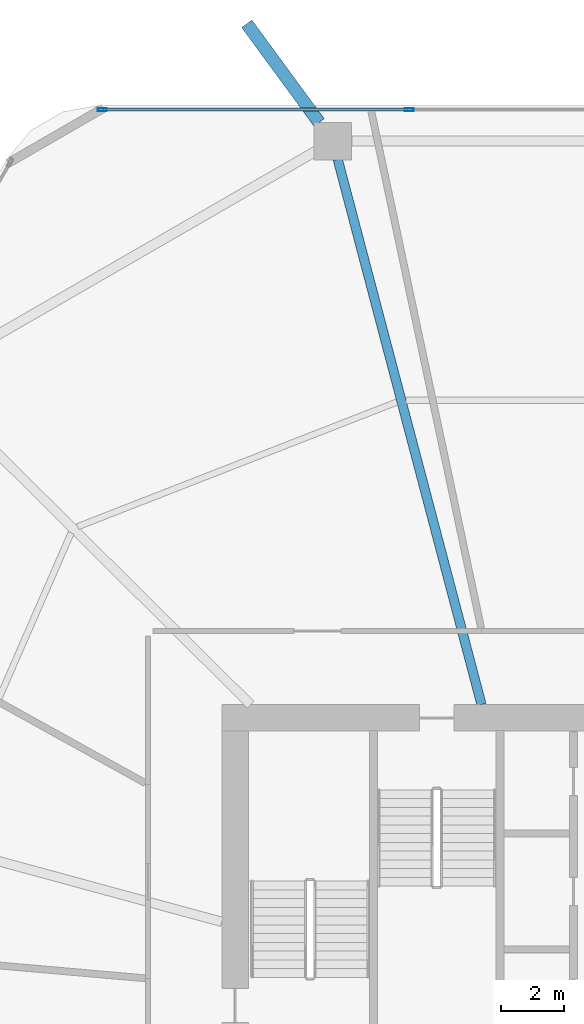
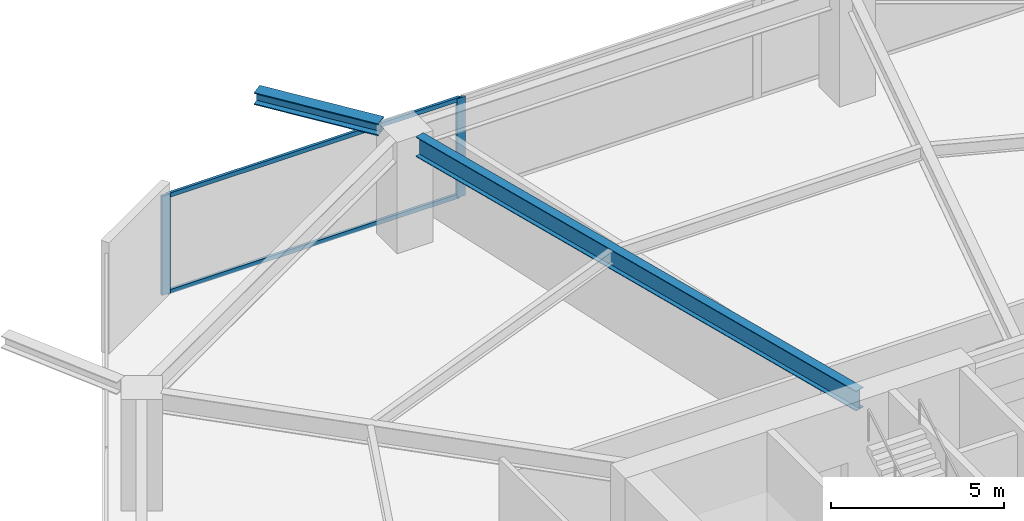
# One storey, part 15 of 25: 4 members, 2 beams, 1 element without a shape of its own.
"""IFC4 building model written with IfcOpenShell, lengths in metres."""

import ifcopenshell
import ifcopenshell.guid

model = None  # the IFC model being written
_history = None  # IfcOwnerHistory: only IFC2X3 demands one
_inside = {}  # id of a spatial element -> (the spatial element, [elements in it])
_under = {}  # id of a project, library or spatial element -> (it, [spatial elements below it])
_declared = {}  # id of a project -> (the project, [libraries it declares])
_typed = {}  # id of a type object -> (the type object, [elements of that type])
_made_of = {}  # id of a material, layer set ... -> (it, [elements and type objects made of it])


def new_model(schema):
    """Start an empty IFC model of exactly this schema.

    Asked for "IFC4X3", IfcOpenShell would pick the latest addendum, in which some entities
    have other attributes; the version numbers below select the first issue.
    IFC2X3 requires an IfcOwnerHistory on every rooted entity: one is made here for all.
    """
    global model, _history
    if schema == "IFC4X3":
        model = ifcopenshell.file(schema_version=(4, 3, 0, 0))
    else:
        model = ifcopenshell.file(schema=schema)
    _inside.clear()
    _under.clear()
    _declared.clear()
    _typed.clear()
    _made_of.clear()
    _history = None
    if model.schema == "IFC2X3":
        org = make("IfcOrganization", Name="unknown")
        user = make(
            "IfcPersonAndOrganization",
            ThePerson=make("IfcPerson", FamilyName="unknown"),
            TheOrganization=org,
        )
        app = make(
            "IfcApplication",
            ApplicationDeveloper=org,
            Version="unknown",
            ApplicationFullName="unknown",
            ApplicationIdentifier="unknown",
        )
        _history = make(
            "IfcOwnerHistory",
            OwningUser=user,
            OwningApplication=app,
            ChangeAction="ADDED",
            CreationDate=0,
        )
    return model


def make(cls, **values):
    """One entity of the class cls with the attributes given. An attribute that is None is left unset."""
    return model.create_entity(
        cls, **{name: value for name, value in values.items() if value is not None}
    )


def rooted(cls, **values):
    """An entity with a GlobalId (a new one), such as an element, a storey or a relation."""
    return make(cls, GlobalId=ifcopenshell.guid.new(), OwnerHistory=_history, **values)


def si_unit(unit_type, name, prefix=None):
    """IfcSIUnit, for example si_unit("LENGTHUNIT", "METRE", prefix="MILLI")."""
    return make("IfcSIUnit", UnitType=unit_type, Prefix=prefix, Name=name)


def assignment(units):
    """IfcUnitAssignment: the units of a project."""
    return None if units is None else make("IfcUnitAssignment", Units=units)


def point(xyz):
    """IfcCartesianPoint."""
    return None if xyz is None else make("IfcCartesianPoint", Coordinates=xyz)


def direction(xyz):
    """IfcDirection."""
    return None if xyz is None else make("IfcDirection", DirectionRatios=xyz)


def frame(location, z_axis=None, x_axis=None):
    """IfcAxis2Placement3D, a coordinate frame: its origin and axes. An axis left out is left unset."""
    return make(
        "IfcAxis2Placement3D",
        Location=point(location),
        Axis=direction(z_axis),
        RefDirection=direction(x_axis),
    )


def frame_2d(location, x_axis=None):
    """IfcAxis2Placement2D, a coordinate frame in the plane: its origin and x axis."""
    return make(
        "IfcAxis2Placement2D", Location=point(location), RefDirection=direction(x_axis)
    )


def origin():
    """The frame at (0, 0, 0) with its axes left unset."""
    return frame((0.0, 0.0, 0.0))


def origin_2d():
    """The frame at (0, 0) in the plane with its x axis left unset."""
    return frame_2d((0.0, 0.0))


def place(relative_to, where):
    """IfcLocalPlacement: puts the frame where relative to a parent placement (None: the world)."""
    return make(
        "IfcLocalPlacement", PlacementRelTo=relative_to, RelativePlacement=where
    )


def context(
    kind, dimensions, precision=None, world=None, true_north=None, identifier=None
):
    """IfcGeometricRepresentationContext, for example the 3D "Model" context."""
    return make(
        "IfcGeometricRepresentationContext",
        ContextIdentifier=identifier,
        ContextType=kind,
        CoordinateSpaceDimension=dimensions,
        Precision=precision,
        WorldCoordinateSystem=world,
        TrueNorth=true_north,
    )


def subcontext(parent, identifier, kind, view, scale=None):
    """IfcGeometricRepresentationSubContext, for example "Body" below "Model"."""
    return make(
        "IfcGeometricRepresentationSubContext",
        ContextIdentifier=identifier,
        ContextType=kind,
        ParentContext=parent,
        TargetScale=scale,
        TargetView=view,
    )


def project(units=None, contexts=None):
    """IfcProject with its units and contexts."""
    return rooted(
        "IfcProject",
        Name="project",
        RepresentationContexts=contexts,
        UnitsInContext=assignment(units),
    )


def spatial(cls, under=None, at=None, **own):
    """A site, building, storey or space (cls), placed at a placement, below another one or the project."""
    s = rooted(cls, ObjectPlacement=at, **own)
    if under is not None:
        _under.setdefault(under.id(), (under, []))[1].append(s)
    return s


def profile(cls, at=None, kind="AREA", **sizes):
    """A parametric profile (cls). Its sizes go by their IFC names, for example OverallWidth=200.0."""
    return make(cls, ProfileType=kind, Position=at, **sizes)


def hollow_rectangle(**sizes):
    """IfcRectangleHollowProfileDef."""
    return profile("IfcRectangleHollowProfileDef", **sizes)


def i_section(**sizes):
    """IfcIShapeProfileDef."""
    return profile("IfcIShapeProfileDef", **sizes)


def extrude(swept, where, along, depth):
    """IfcExtrudedAreaSolid: the profile swept, set in the frame where, extruded along a direction by depth."""
    return make(
        "IfcExtrudedAreaSolid",
        SweptArea=swept,
        Position=where,
        ExtrudedDirection=direction(along),
        Depth=depth,
    )


def shape(context_of_items, identifier, shape_type, items):
    """IfcShapeRepresentation: the items that make up one representation, for example the "Body"."""
    return make(
        "IfcShapeRepresentation",
        ContextOfItems=context_of_items,
        RepresentationIdentifier=identifier,
        RepresentationType=shape_type,
        Items=items,
    )


def material(Name=None, Category=None):
    """IfcMaterial."""
    return make("IfcMaterial", Name=Name, Category=Category)


def material_profile(
    of_material, cross_section, Name=None, Category=None, Priority=None
):
    """IfcMaterialProfile: a cross section and its material."""
    return make(
        "IfcMaterialProfile",
        Name=Name,
        Material=of_material,
        Profile=cross_section,
        Priority=Priority,
        Category=Category,
    )


def profile_set(profiles, Name=None, composite=None):
    """IfcMaterialProfileSet."""
    return make(
        "IfcMaterialProfileSet",
        Name=Name,
        MaterialProfiles=profiles,
        CompositeProfile=composite,
    )


def made_of(thing, what):
    """Note that an element or type object is made of a material, layer set ...; save() writes the relation."""
    if what is not None:
        _made_of.setdefault(what.id(), (what, []))[1].append(thing)
    return thing


def type_object(cls, material=None, **own):
    """A type object (cls), such as IfcWallType, which elements share."""
    return made_of(rooted(cls, **own), material)


def element(
    cls,
    number,
    at=None,
    inside=None,
    cuts=None,
    type_object=None,
    material=None,
    context=None,
    identifier="Body",
    shape_type=None,
    held_by="IfcProductDefinitionShape",
    body=None,
    shapes=None,
    **own,
):
    """One element of the class cls, such as IfcWall. Its Tag is "e" and its number.

    at: its placement. inside: the storey or other place that contains it. cuts: it is an
    opening in that element (IfcRelVoidsElement). A single representation is given by context,
    identifier, shape_type and body (its items); several are given by shapes. held_by: the class
    of the entity that holds the representations. save() writes the other relations.
    """
    e = rooted(cls, Tag="e%d" % number, ObjectPlacement=at, **own)
    if body is not None:
        shapes = [shape(context, identifier, shape_type, body)]
    if shapes is not None:
        e.Representation = make(held_by, Representations=shapes)
    if inside is not None:
        _inside.setdefault(inside.id(), (inside, []))[1].append(e)
    if cuts is not None:
        rooted(
            "IfcRelVoidsElement", RelatingBuildingElement=cuts, RelatedOpeningElement=e
        )
    if type_object is not None:
        _typed.setdefault(type_object.id(), (type_object, []))[1].append(e)
    return made_of(e, material)


def aggregate(whole, parts):
    """IfcRelAggregates: a whole, such as a stair, and the parts it consists of."""
    return rooted("IfcRelAggregates", RelatingObject=whole, RelatedObjects=parts)


def save(model, path):
    """Write the relations noted so far, then the file.

    IfcRelAggregates (storeys below a building ...), IfcRelContainedInSpatialStructure (elements
    in a storey), IfcRelDefinesByType, IfcRelAssociatesMaterial and IfcRelDeclares: one each for
    every whole, place, type object, material and project.
    """
    for whole, parts in _under.values():
        aggregate(whole, parts)
    for where, things in _inside.values():
        rooted(
            "IfcRelContainedInSpatialStructure",
            RelatedElements=things,
            RelatingStructure=where,
        )
    for kind, things in _typed.values():
        rooted("IfcRelDefinesByType", RelatedObjects=things, RelatingType=kind)
    for what, things in _made_of.values():
        rooted("IfcRelAssociatesMaterial", RelatedObjects=things, RelatingMaterial=what)
    for by, libraries in _declared.values():
        rooted("IfcRelDeclares", RelatingContext=by, RelatedDefinitions=libraries)
    model.write(path)


model = new_model("IFC4")

# Units and contexts
model_context = context("Model", 3, precision=1e-05, world=origin(), true_north=direction((0.0, 1.0)))
body_context = subcontext(model_context, "Body", "Model", "MODEL_VIEW")
ifc_project = project(units=[si_unit("LENGTHUNIT", "METRE"), si_unit("AREAUNIT", "SQUARE_METRE"), si_unit("VOLUMEUNIT", "CUBIC_METRE"), si_unit("PLANEANGLEUNIT", "RADIAN"), si_unit("MASSUNIT", "GRAM", prefix="KILO")], contexts=[model_context])

# Site, building, storey
site_placement = place(None, origin())
site = spatial("IfcSite", under=ifc_project, at=site_placement, CompositionType="ELEMENT")
building_placement = place(site_placement, origin())
building = spatial("IfcBuilding", under=site, at=building_placement, Name="Zuhravey Tower", CompositionType="ELEMENT")
storey_placement = place(building_placement, frame((0.0, 0.0, 54.0)))
storey = spatial("IfcBuildingStorey", under=building, at=storey_placement, Name="L13", CompositionType="ELEMENT", Elevation=54.0)

# Curtain wall, members
ifc_material_1 = material(Name="Thermally broken anodised aluminium", Category="aluminium")
curtain_wall_type = type_object("IfcCurtainWallType", Name="School Low-E Unitised Curtain Wall CW1", PredefinedType="NOTDEFINED", material=ifc_material_1)
curtain_wall_placement = place(storey_placement, origin())
curtain_wall = element("IfcCurtainWall", 1, at=curtain_wall_placement, inside=storey, type_object=curtain_wall_type, Name="L13 CW1 CW-L13-F2-1", PredefinedType="NOTDEFINED")
ifc_material_2 = material(Name="Anodised aluminium", Category="aluminium")
ifc_material_profile_1 = material_profile(ifc_material_2, hollow_rectangle(XDim=0.090087890625, YDim=0.284912109375, WallThickness=0.0048828125, at=origin_2d()), Name="ALU-RHS-90x285x5")
ifc_profile_set_1 = profile_set([ifc_material_profile_1], Name="Anodised aluminium")
member_type_1 = type_object("IfcMemberType", Name="Curtain-Wall Mullion 90x180", PredefinedType="MULLION", material=ifc_profile_set_1)
member_1_placement = place(storey_placement, frame((21.24560546875, 60.95849609375, 0.0), z_axis=(0.0, 0.0, 1.0), x_axis=(0.0, 1.0, 0.0)))
member_1 = element("IfcMember", 2, at=member_1_placement, type_object=member_type_1, Name="CW1 mullion 1", PredefinedType="MULLION", context=body_context, shape_type="SweptSolid", body=[
    extrude(hollow_rectangle(XDim=0.090087890625, YDim=0.284912109375, WallThickness=0.0048828125, at=origin_2d()), origin(), (0.0, 0.0, 1.0), 3.491943359375),
])
member_2_placement = place(storey_placement, frame((31.06689453125, 60.95849609375, 0.0), z_axis=(0.0, 0.0, 1.0), x_axis=(0.0, 1.0, 0.0)))
member_2 = element("IfcMember", 3, at=member_2_placement, type_object=member_type_1, Name="CW1 mullion 2", PredefinedType="MULLION", context=body_context, shape_type="SweptSolid", body=[
    extrude(hollow_rectangle(XDim=0.090087890625, YDim=0.284912109375, WallThickness=0.0048828125, at=origin_2d()), origin(), (0.0, 0.0, 1.0), 3.491943359375),
])
ifc_material_profile_2 = material_profile(ifc_material_2, hollow_rectangle(XDim=0.090087890625, YDim=0.14990234375, WallThickness=0.0048828125, at=origin_2d()), Name="ALU-RHS-90x150x5")
ifc_profile_set_2 = profile_set([ifc_material_profile_2], Name="Anodised aluminium")
member_type_2 = type_object("IfcMemberType", Name="Curtain-Wall Transom 90x150", PredefinedType="USERDEFINED", material=ifc_profile_set_2)
member_3_placement = place(storey_placement, frame((21.29052734375, 60.95849609375, 0.044921875), z_axis=(1.0, 0.0, 0.0), x_axis=(0.0, 1.0, 0.0)))
member_3 = element("IfcMember", 4, at=member_3_placement, type_object=member_type_2, Name="CW1 transom 1.1", ObjectType="TRANSOM", PredefinedType="USERDEFINED", context=body_context, shape_type="SweptSolid", body=[
    extrude(hollow_rectangle(XDim=0.090087890625, YDim=0.14990234375, WallThickness=0.0048828125, at=origin_2d()), origin(), (0.0, 0.0, 1.0), 9.731201171875),
])
member_4_placement = place(storey_placement, frame((21.29052734375, 60.95849609375, 3.447021484375), z_axis=(1.0, 0.0, 0.0), x_axis=(0.0, 1.0, 0.0)))
member_4 = element("IfcMember", 5, at=member_4_placement, type_object=member_type_2, Name="CW1 transom 1.2", ObjectType="TRANSOM", PredefinedType="USERDEFINED", context=body_context, shape_type="SweptSolid", body=[
    extrude(hollow_rectangle(XDim=0.090087890625, YDim=0.14990234375, WallThickness=0.0048828125, at=origin_2d()), origin(), (0.0, 0.0, 1.0), 9.731201171875),
])
aggregate(curtain_wall, [member_1, member_2, member_3, member_4])

# Beams
ifc_material_3 = material(Name="Steel SM460", Category="steel")
ifc_material_profile_3 = material_profile(ifc_material_3, i_section(OverallWidth=0.406982421875, OverallDepth=0.427978515625, WebThickness=0.02001953125, FlangeThickness=0.034912109375, at=origin_2d()), Name="H-428x407x20x35")
ifc_profile_set_3 = profile_set([ifc_material_profile_3], Name="Steel SM460")
beam_type_1 = type_object("IfcBeamType", Name="Exoskeleton Node Tie Beam H428x407", PredefinedType="BEAM", material=ifc_profile_set_3)
beam_1_placement = place(storey_placement, frame((28.187255859375, 60.5517578125, 3.7060546875), z_axis=(-0.591671978423, 0.806178807678, 0.0), x_axis=(-0.806178807678, -0.591671978423, 0.0)))
element("IfcBeam", 6, at=beam_1_placement, inside=storey, type_object=beam_type_1, Name="L13 Exoskeleton Node Tie NT1-04", PredefinedType="BEAM", context=body_context, shape_type="SweptSolid", body=[
    extrude(i_section(OverallWidth=0.406982421875, OverallDepth=0.427978515625, WebThickness=0.02001953125, FlangeThickness=0.034912109375, at=origin_2d()), origin(), (0.0, 0.0, 1.0), 3.912841796875),
])
ifc_material_4 = material(Name="Steel SM355", Category="steel")
ifc_material_profile_4 = material_profile(ifc_material_4, i_section(OverallWidth=0.300048828125, OverallDepth=0.699951171875, WebThickness=0.012939453125, FlangeThickness=0.02392578125, at=origin_2d()), Name="H-700x300x13x24")
ifc_profile_set_4 = profile_set([ifc_material_profile_4], Name="Steel SM355")
beam_type_2 = type_object("IfcBeamType", Name="Radial Primary Girder H700x300", PredefinedType="BEAM", material=ifc_profile_set_4)
beam_2_placement = place(storey_placement, frame((33.382080078125, 41.927978515625, 3.570068359375), z_axis=(-0.254989720435, 0.966943763862, 0.0), x_axis=(-0.966943763862, -0.254989720435, 0.0)))
element("IfcBeam", 7, at=beam_2_placement, inside=storey, type_object=beam_type_2, Name="L13 RG1 BM-L13-RAD-04", PredefinedType="BEAM", context=body_context, shape_type="SweptSolid", body=[
    extrude(i_section(OverallWidth=0.300048828125, OverallDepth=0.699951171875, WebThickness=0.012939453125, FlangeThickness=0.02392578125, at=origin_2d()), origin(), (0.0, 0.0, 1.0), 18.03369140625),
])

save(model, "model.ifc")
